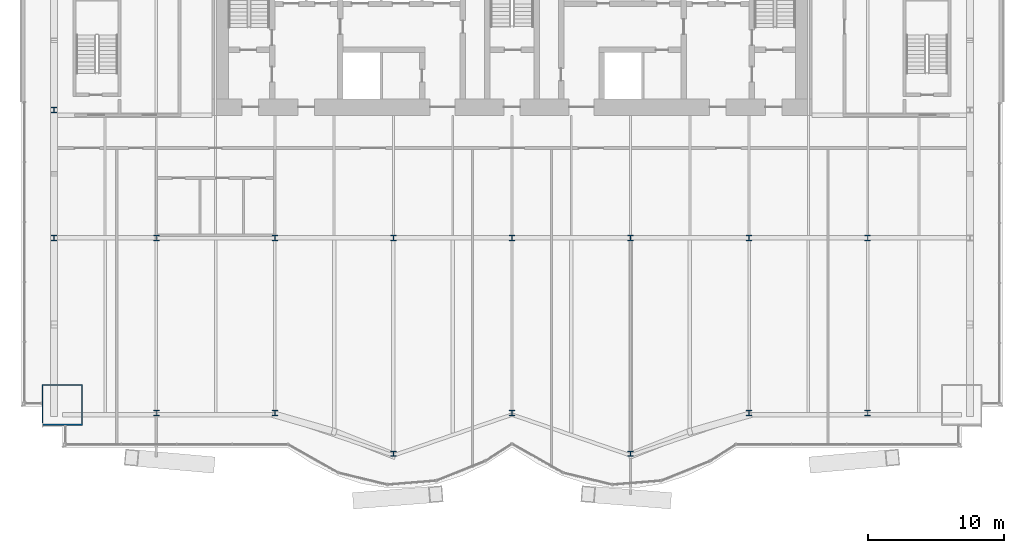
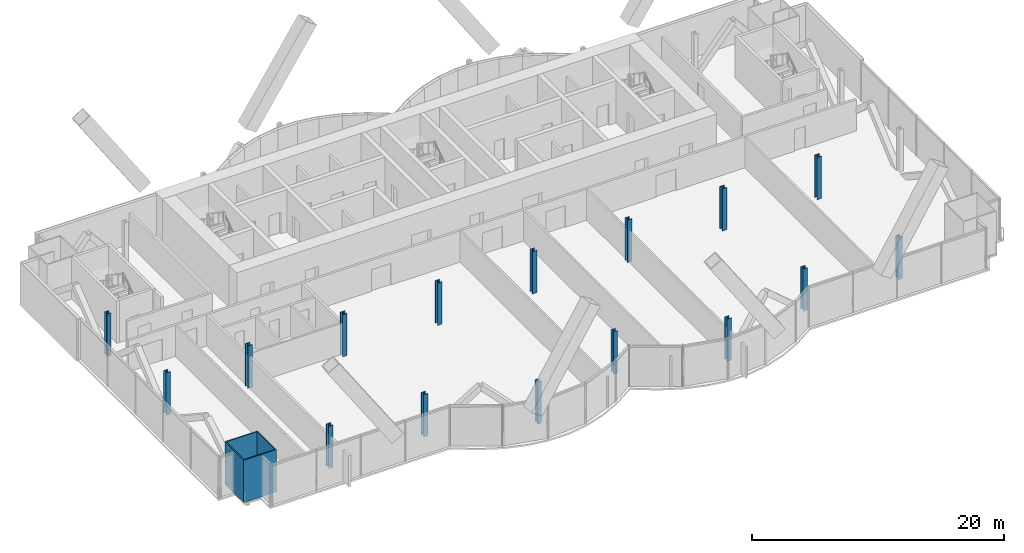
# One storey, part 1 of 21: 17 columns.
"""IFC4 building model written with IfcOpenShell, lengths in metres."""

from ifc_helpers import new_model, si_unit, direction, frame, origin, origin_2d, place, context, subcontext, project, spatial, hollow_rectangle, i_section, extrude, material, material_profile, profile_set, type_object, element, save


model = new_model("IFC4")

# Units and contexts
model_context = context("Model", 3, precision=1e-05, world=origin(), true_north=direction((0.0, 1.0)))
body_context = subcontext(model_context, "Body", "Model", "MODEL_VIEW")
ifc_project = project(units=[si_unit("LENGTHUNIT", "METRE"), si_unit("AREAUNIT", "SQUARE_METRE"), si_unit("VOLUMEUNIT", "CUBIC_METRE"), si_unit("PLANEANGLEUNIT", "RADIAN"), si_unit("MASSUNIT", "GRAM", prefix="KILO")], contexts=[model_context])

# Site, building, storey
site_placement = place(None, origin())
site = spatial("IfcSite", under=ifc_project, at=site_placement, CompositionType="ELEMENT")
building_placement = place(site_placement, origin())
building = spatial("IfcBuilding", under=site, at=building_placement, Name="Bicima Exchange Tower", CompositionType="ELEMENT")
storey_placement = place(building_placement, frame((0.0, 0.0, 118.60009765625)))
storey = spatial("IfcBuildingStorey", under=building, at=storey_placement, Name="L25", CompositionType="ELEMENT", Elevation=118.60009765625)

# Columns
ifc_material_1 = material(Name="Steel ASTM A992 Gr 50", Category="steel")
ifc_material_profile_1 = material_profile(ifc_material_1, i_section(OverallWidth=0.406494140625, OverallDepth=0.41650390625, WebThickness=0.030029296875, FlangeThickness=0.048095703125, at=origin_2d()))
ifc_profile_set_1 = profile_set([ifc_material_profile_1], Name="Steel ASTM A992 Gr 50")
column_type_1 = type_object("IfcColumnType", Name="Interior column W14x257", PredefinedType="COLUMN", material=ifc_profile_set_1)
for number, where, z_axis, x_axis, name in (
    (1, (-26.10009765625, -22.0, 0.0), (0.0, 0.0, 1.0), (1.0, 0.0, 0.0), "Interior column interior-26.1i"),
    (2, (-17.39990234375, -22.0, 0.0), (0.0, 0.0, 1.0), (1.0, 0.0, 0.0), "Interior column interior-17.4i"),
    (3, (-8.699951171875, -22.0, 0.0), (0.0, 0.0, 1.0), (1.0, 0.0, 0.0), "Interior column interior-8.7i"),
    (4, (0.0, -22.0, 0.0), (0.0, 0.0, 1.0), (1.0, 0.0, 0.0), "Interior column interior+0.0i"),
    (5, (8.699951171875, -22.0, 0.0), (0.0, 0.0, 1.0), (1.0, 0.0, 0.0), "Interior column interior+8.7i"),
    (6, (17.39990234375, -22.0, 0.0), (0.0, 0.0, 1.0), (1.0, 0.0, 0.0), "Interior column interior+17.4i"),
    (7, (26.10009765625, -22.0, 0.0), (0.0, 0.0, 1.0), (1.0, 0.0, 0.0), "Interior column interior+26.1i"),
):
    element("IfcColumn", number, at=place(storey_placement, frame(where, z_axis=z_axis, x_axis=x_axis)), inside=storey, type_object=column_type_1, Name=name, PredefinedType="COLUMN", context=body_context, shape_type="SweptSolid", body=[
        extrude(i_section(OverallWidth=0.406494140625, OverallDepth=0.41650390625, WebThickness=0.030029296875, FlangeThickness=0.048095703125, at=origin_2d()), origin(), (0.0, 0.0, 1.0), 4.099853515625),
    ])
ifc_material_2 = material(Name="Steel ASTM A572 Gr 50", Category="steel")
ifc_material_profile_2 = material_profile(ifc_material_2, hollow_rectangle(XDim=3.0, YDim=3.0, WallThickness=0.090087890625, at=origin_2d()))
ifc_profile_set_2 = profile_set([ifc_material_profile_2], Name="Steel ASTM A572 Gr 50")
column_type_2 = type_object("IfcColumnType", Name="Mega column BOX 3000x3000x90", PredefinedType="COLUMN", material=ifc_profile_set_2)
column_placement = place(storey_placement, frame((-33.0, -34.241943359375, 0.0), z_axis=(0.0, 0.0, 1.0), x_axis=(1.0, 0.0, 0.0)))
element("IfcColumn", 8, at=column_placement, inside=storey, type_object=column_type_2, Name="Mega column mega-33.0f", PredefinedType="COLUMN", context=body_context, shape_type="SweptSolid", body=[
    extrude(hollow_rectangle(XDim=3.0, YDim=3.0, WallThickness=0.090087890625, at=origin_2d()), origin(), (0.0, 0.0, 1.0), 4.099853515625),
])
ifc_material_profile_3 = material_profile(ifc_material_1, i_section(OverallWidth=0.398681640625, OverallDepth=0.393798828125, WebThickness=0.022705078125, FlangeThickness=0.03662109375, at=origin_2d()))
ifc_profile_set_3 = profile_set([ifc_material_profile_3], Name="Steel ASTM A992 Gr 50")
column_type_3 = type_object("IfcColumnType", Name="Perimeter column W14x193", PredefinedType="COLUMN", material=ifc_profile_set_3)
for number, where, z_axis, x_axis, name in (
    (9, (-26.10009765625, -34.842041015625, 0.0), (0.0, 0.0, 1.0), (1.0, 0.0, 0.0), "Perimeter column grav-26.1f"),
    (10, (-17.39990234375, -34.842041015625, 0.0), (0.0, 0.0, 1.0), (1.0, 0.0, 0.0), "Perimeter column grav-17.4f"),
    (11, (-8.699951171875, -37.8330078125, 0.0), (0.0, 0.0, 1.0), (1.0, 0.0, 0.0), "Perimeter column grav-8.7f"),
    (12, (0.0, -34.842041015625, 0.0), (0.0, 0.0, 1.0), (1.0, 0.0, 0.0), "Perimeter column grav-0.0f"),
    (13, (8.699951171875, -37.8330078125, 0.0), (0.0, 0.0, 1.0), (1.0, 0.0, 0.0), "Perimeter column grav+8.7f"),
    (14, (17.39990234375, -34.842041015625, 0.0), (0.0, 0.0, 1.0), (1.0, 0.0, 0.0), "Perimeter column grav+17.4f"),
    (15, (26.10009765625, -34.842041015625, 0.0), (0.0, 0.0, 1.0), (1.0, 0.0, 0.0), "Perimeter column grav+26.1f"),
    (16, (-33.60009765625, -12.60009765625, 0.0), (0.0, 0.0, 1.0), (1.0, 0.0, 0.0), "End column end-33.6e"),
    (17, (-33.60009765625, -22.0, 0.0), (0.0, 0.0, 1.0), (1.0, 0.0, 0.0), "End column end-33.6e"),
):
    element("IfcColumn", number, at=place(storey_placement, frame(where, z_axis=z_axis, x_axis=x_axis)), inside=storey, type_object=column_type_3, Name=name, PredefinedType="COLUMN", context=body_context, shape_type="SweptSolid", body=[
        extrude(i_section(OverallWidth=0.398681640625, OverallDepth=0.393798828125, WebThickness=0.022705078125, FlangeThickness=0.03662109375, at=origin_2d()), origin(), (0.0, 0.0, 1.0), 4.099853515625),
    ])

save(model, "model.ifc")
